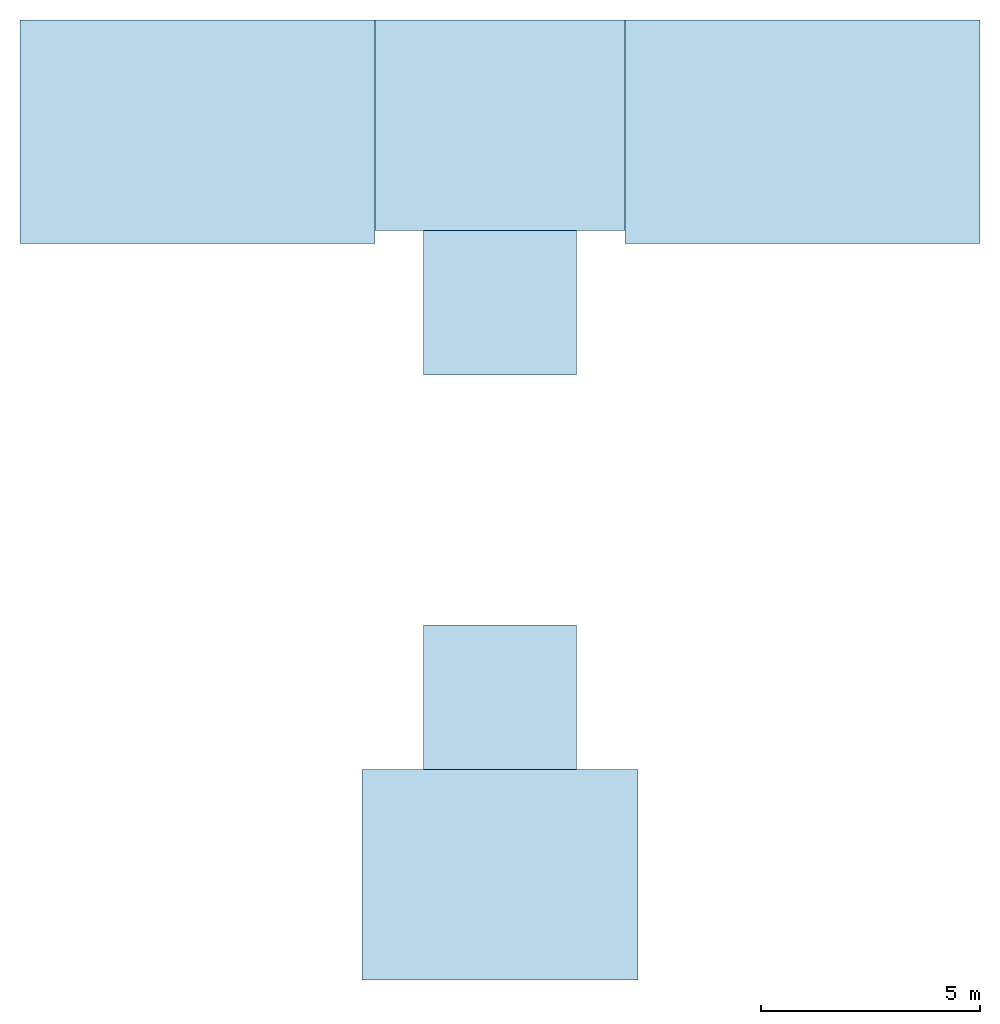
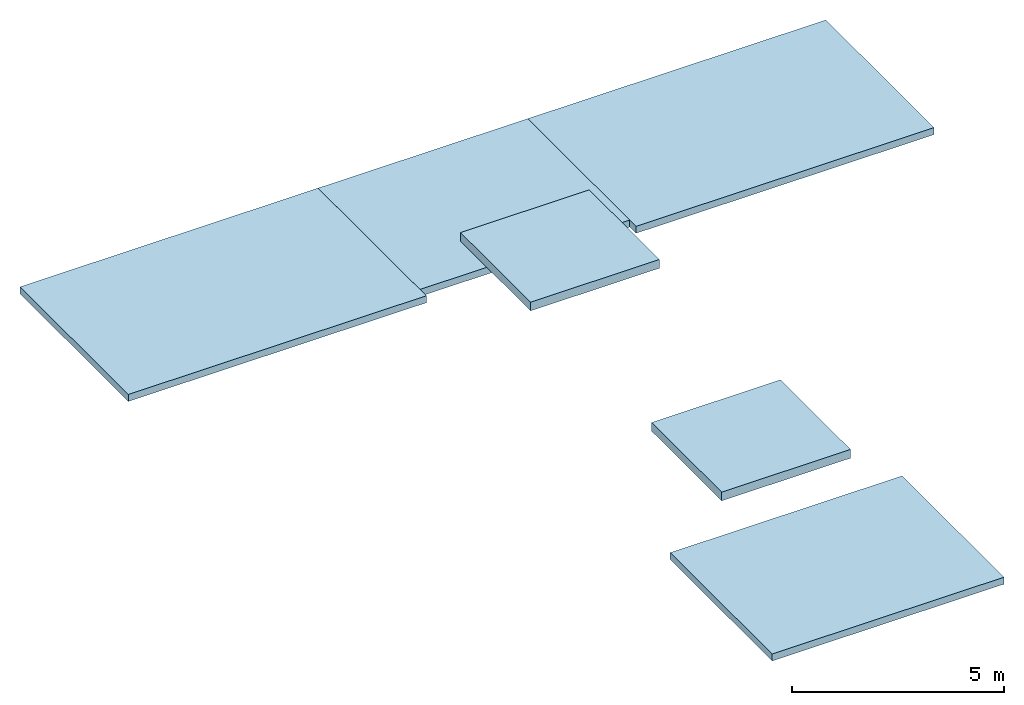
# One storey: 6 slabs.
"""IFC4 building model written with IfcOpenShell, lengths in metres."""

from ifc_helpers import new_model, si_unit, direction, frame, origin, place, context, subcontext, project, spatial, polyline, outline, extrude, material, layer, layer_set, type_object, element, save


model = new_model("IFC4")

# Units and contexts
model_context = context("Model", 3, precision=1e-05, world=origin(), true_north=direction((0.0, 1.0)))
body_context = subcontext(model_context, "Body", "Model", "MODEL_VIEW")
ifc_project = project(units=[si_unit("LENGTHUNIT", "METRE"), si_unit("AREAUNIT", "SQUARE_METRE"), si_unit("VOLUMEUNIT", "CUBIC_METRE"), si_unit("PLANEANGLEUNIT", "RADIAN"), si_unit("MASSUNIT", "GRAM", prefix="KILO")], contexts=[model_context])

# Site, building, storey
site_placement = place(None, origin())
site = spatial("IfcSite", under=ifc_project, at=site_placement, CompositionType="ELEMENT")
building_placement = place(site_placement, origin())
building = spatial("IfcBuilding", under=site, at=building_placement, Name="Mashrafa Tower", CompositionType="ELEMENT")
storey_placement = place(building_placement, frame((0.0, 0.0, 326.60009765625)))
storey = spatial("IfcBuildingStorey", under=building, at=storey_placement, Name="RF-HH", CompositionType="ELEMENT", Elevation=326.60009765625)

# Slabs
ifc_material_1 = material(Name="Concrete C32/40", Category="concrete")
ifc_layer_1 = layer(ifc_material_1, 0.199951171875)
ifc_layer_set_1 = layer_set([ifc_layer_1], Name="Head-house roof slab 200")
slab_type_1 = type_object("IfcSlabType", Name="Head-house roof slab 200", PredefinedType="ROOF", material=ifc_layer_set_1)
slab_1_placement = place(storey_placement, origin())
element("IfcSlab", 1, at=slab_1_placement, inside=storey, type_object=slab_type_1, Name="Stair S1 head-house roof", PredefinedType="ROOF", context=body_context, shape_type="SweptSolid", body=[
    extrude(outline(polyline([(-10.949951171875, 5.85009765625), (-2.85009765625, 5.85009765625), (-2.85009765625, 10.949951171875), (-10.949951171875, 10.949951171875), (-10.949951171875, 5.85009765625)])), origin(), (0.0, 0.0, 1.0), 0.199951171875),
])
slab_2_placement = place(storey_placement, origin())
element("IfcSlab", 2, at=slab_2_placement, inside=storey, type_object=slab_type_1, Name="Stair S2 head-house roof", PredefinedType="ROOF", context=body_context, shape_type="SweptSolid", body=[
    extrude(outline(polyline([(2.85009765625, 5.85009765625), (10.949951171875, 5.85009765625), (10.949951171875, 10.949951171875), (2.85009765625, 10.949951171875), (2.85009765625, 5.85009765625)])), origin(), (0.0, 0.0, 1.0), 0.199951171875),
])
slab_3_placement = place(storey_placement, origin())
element("IfcSlab", 3, at=slab_3_placement, inside=storey, type_object=slab_type_1, Name="Roof lift lobby N roof", PredefinedType="ROOF", context=body_context, shape_type="SweptSolid", body=[
    extrude(outline(polyline([(-2.85009765625, 6.14990234375), (2.85009765625, 6.14990234375), (2.85009765625, 10.949951171875), (-2.85009765625, 10.949951171875), (-2.85009765625, 6.14990234375)])), origin(), (0.0, 0.0, 1.0), 0.199951171875),
])
slab_4_placement = place(storey_placement, origin())
element("IfcSlab", 4, at=slab_4_placement, inside=storey, type_object=slab_type_1, Name="Roof lift lobby S roof", PredefinedType="ROOF", context=body_context, shape_type="SweptSolid", body=[
    extrude(outline(polyline([(-3.14990234375, -10.949951171875), (3.14990234375, -10.949951171875), (3.14990234375, -6.14990234375), (-3.14990234375, -6.14990234375), (-3.14990234375, -10.949951171875)])), origin(), (0.0, 0.0, 1.0), 0.199951171875),
])
ifc_material_2 = material(Name="Concrete C35/45", Category="concrete")
ifc_layer_2 = layer(ifc_material_2, 0.25)
ifc_layer_set_2 = layer_set([ifc_layer_2], Name="Lift overrun cap slab 250")
slab_type_2 = type_object("IfcSlabType", Name="Lift overrun cap slab 250", PredefinedType="ROOF", material=ifc_layer_set_2)
slab_5_placement = place(storey_placement, frame((0.0, 0.0, 1.199951171875)))
element("IfcSlab", 5, at=slab_5_placement, inside=storey, type_object=slab_type_2, Name="Lift F1 overrun cap slab", PredefinedType="ROOF", context=body_context, shape_type="SweptSolid", body=[
    extrude(outline(polyline([(-1.75, 2.85009765625), (1.75, 2.85009765625), (1.75, 6.14990234375), (-1.75, 6.14990234375), (-1.75, 2.85009765625)])), origin(), (0.0, 0.0, 1.0), 0.25),
])
slab_6_placement = place(storey_placement, frame((0.0, 0.0, 1.199951171875)))
element("IfcSlab", 6, at=slab_6_placement, inside=storey, type_object=slab_type_2, Name="Lift F2 overrun cap slab", PredefinedType="ROOF", context=body_context, shape_type="SweptSolid", body=[
    extrude(outline(polyline([(-1.75, -6.14990234375), (1.75, -6.14990234375), (1.75, -2.85009765625), (-1.75, -2.85009765625), (-1.75, -6.14990234375)])), origin(), (0.0, 0.0, 1.0), 0.25),
])

save(model, "model.ifc")
